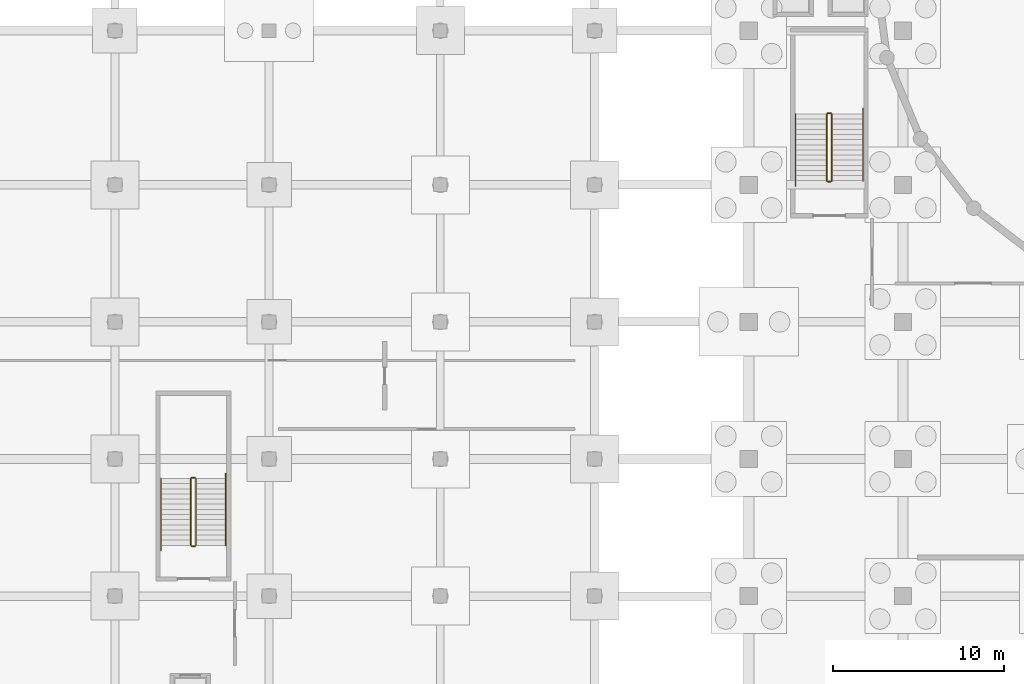
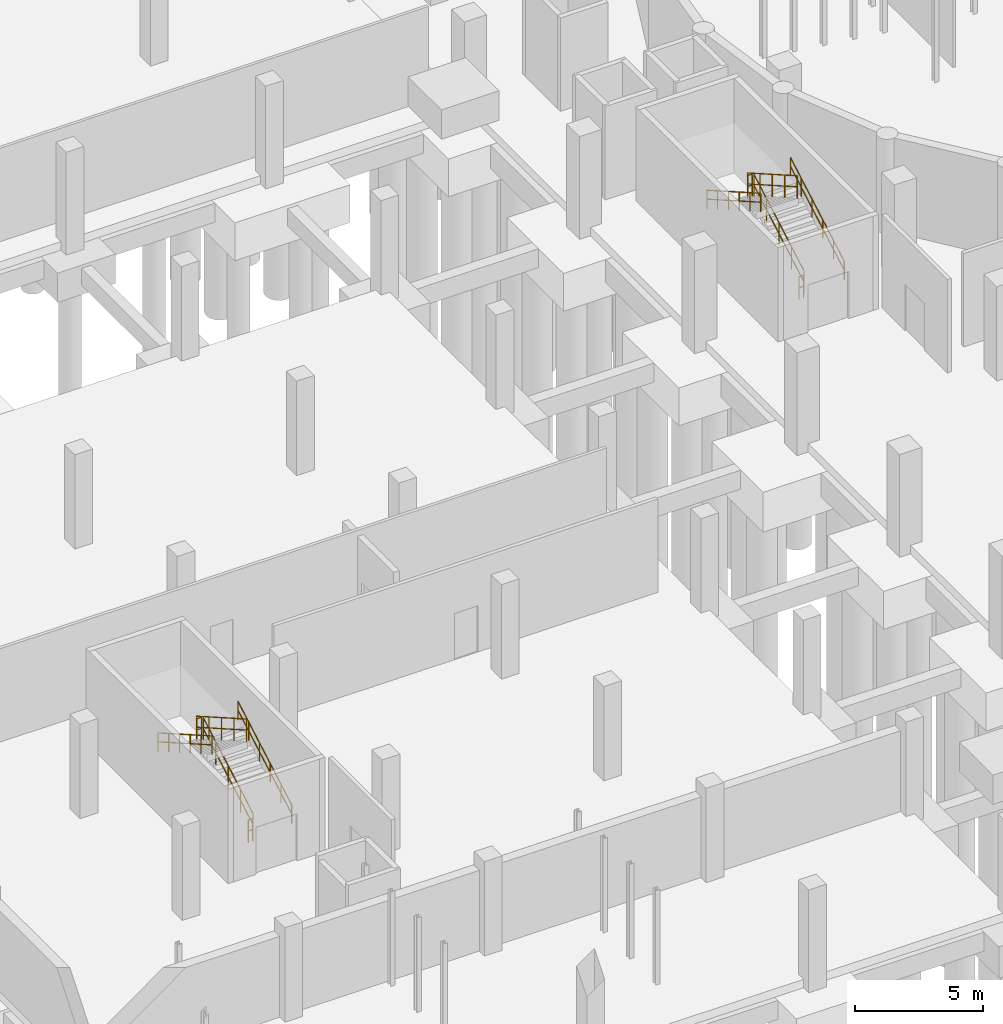
# One storey, part 34 of 40: 12 railings.
"""IFC4 building model written with IfcOpenShell, lengths in metres."""

from ifc_helpers import new_model, si_unit, direction, frame, origin, origin_2d, place, context, subcontext, project, spatial, circle, extrude, material, type_object, element, save


model = new_model("IFC4")

# Units and contexts
model_context = context("Model", 3, precision=1e-05, world=origin(), true_north=direction((0.0, 1.0)))
body_context = subcontext(model_context, "Body", "Model", "MODEL_VIEW")
ifc_project = project(units=[si_unit("LENGTHUNIT", "METRE"), si_unit("AREAUNIT", "SQUARE_METRE"), si_unit("VOLUMEUNIT", "CUBIC_METRE"), si_unit("PLANEANGLEUNIT", "RADIAN"), si_unit("MASSUNIT", "GRAM", prefix="KILO")], contexts=[model_context])

# Site, building, storey
site_placement = place(None, origin())
site = spatial("IfcSite", under=ifc_project, at=site_placement, CompositionType="ELEMENT")
building_placement = place(site_placement, origin())
building = spatial("IfcBuilding", under=site, at=building_placement, Name="Marnock Terrace Opera House", CompositionType="ELEMENT")
storey_placement = place(building_placement, frame((0.0, 0.0, -4.800048828125)))
storey = spatial("IfcBuildingStorey", under=building, at=storey_placement, Name="B1", CompositionType="ELEMENT", Elevation=-4.800048828125)

# Railings
ifc_material = material(Name="Architectural bronze balustrade")
railing_type_1 = type_object("IfcRailingType", Name="RL-GUARD-1100", PredefinedType="GUARDRAIL", material=ifc_material)
railing_1_placement = place(storey_placement, frame((59.85009765625, 48.239990234375, 0.17138671875)))
element("IfcRailing", 1, at=railing_1_placement, inside=storey, type_object=railing_type_1, Name="B1 ST-01 stair guard 1", PredefinedType="GUARDRAIL", context=body_context, shape_type="SweptSolid", body=[
    extrude(circle(Radius=0.02392578125, at=origin_2d()), frame((0.0, 0.0, 1.076171875), z_axis=(0.0, 0.868219727965, 0.496179910892), x_axis=(-1.0, 0.0, 0.0)), (0.0, 0.0, 1.0), 4.491943359375),
    extrude(circle(Radius=0.02392578125, at=origin_2d()), frame((0.0, 0.0, 0.550048828125), z_axis=(0.0, 0.868219727965, 0.496179910892), x_axis=(-1.0, 0.0, 0.0)), (0.0, 0.0, 1.0), 4.491943359375),
    extrude(circle(Radius=0.02099609375, at=origin_2d()), origin(), (0.0, 0.0, 1.0), 1.052001953125),
    extrude(circle(Radius=0.02099609375, at=origin_2d()), frame((0.0, 0.97509765625, 0.55712890625)), (0.0, 0.0, 1.0), 1.052001953125),
    extrude(circle(Radius=0.02099609375, at=origin_2d()), frame((0.0, 1.949951171875, 1.1142578125)), (0.0, 0.0, 1.0), 1.052001953125),
    extrude(circle(Radius=0.02099609375, at=origin_2d()), frame((0.0, 2.9248046875, 1.671630859375)), (0.0, 0.0, 1.0), 1.052001953125),
    extrude(circle(Radius=0.02099609375, at=origin_2d()), frame((0.0, 3.89990234375, 2.228759765625)), (0.0, 0.0, 1.0), 1.052001953125),
])
railing_2_placement = place(storey_placement, frame((59.800048828125, 52.18994140625, 2.400146484375)))
element("IfcRailing", 2, at=railing_2_placement, inside=storey, type_object=railing_type_1, Name="B1 ST-01 stair guard 2", PredefinedType="GUARDRAIL", context=body_context, shape_type="SweptSolid", body=[
    extrude(circle(Radius=0.02392578125, at=origin_2d()), frame((0.0, 0.0, 1.076171875), z_axis=(-1.0, 0.0, 0.0), x_axis=(0.0, -1.0, 0.0)), (0.0, 0.0, 1.0), 0.199951171875),
    extrude(circle(Radius=0.02392578125, at=origin_2d()), frame((0.0, 0.0, 0.550048828125), z_axis=(-1.0, 0.0, 0.0), x_axis=(0.0, -1.0, 0.0)), (0.0, 0.0, 1.0), 0.199951171875),
    extrude(circle(Radius=0.02099609375, at=origin_2d()), origin(), (0.0, 0.0, 1.0), 1.052001953125),
    extrude(circle(Radius=0.02099609375, at=origin_2d()), frame((-0.199951171875, 0.0, 0.0)), (0.0, 0.0, 1.0), 1.052001953125),
])
railing_3_placement = place(storey_placement, frame((59.550048828125, 52.139892578125, 2.571533203125)))
element("IfcRailing", 3, at=railing_3_placement, inside=storey, type_object=railing_type_1, Name="B1 ST-01 stair guard 3", PredefinedType="GUARDRAIL", context=body_context, shape_type="SweptSolid", body=[
    extrude(circle(Radius=0.02392578125, at=origin_2d()), frame((0.0, 0.0, 1.076171875), z_axis=(0.0, -0.868243142124, 0.496138938357), x_axis=(1.0, 0.0, 0.0)), (0.0, 0.0, 1.0), 4.49169921875),
    extrude(circle(Radius=0.02392578125, at=origin_2d()), frame((0.0, 0.0, 0.550048828125), z_axis=(0.0, -0.868243142124, 0.496138938357), x_axis=(1.0, 0.0, 0.0)), (0.0, 0.0, 1.0), 4.49169921875),
    extrude(circle(Radius=0.02099609375, at=origin_2d()), origin(), (0.0, 0.0, 1.0), 1.052001953125),
    extrude(circle(Radius=0.02099609375, at=origin_2d()), frame((0.0, -0.97509765625, 0.55712890625)), (0.0, 0.0, 1.0), 1.052001953125),
    extrude(circle(Radius=0.02099609375, at=origin_2d()), frame((0.0, -1.949951171875, 1.1142578125)), (0.0, 0.0, 1.0), 1.052001953125),
    extrude(circle(Radius=0.02099609375, at=origin_2d()), frame((0.0, -2.9248046875, 1.67138671875)), (0.0, 0.0, 1.0), 1.052001953125),
    extrude(circle(Radius=0.02099609375, at=origin_2d()), frame((0.0, -3.89990234375, 2.228515625)), (0.0, 0.0, 1.0), 1.052001953125),
])
railing_4_placement = place(storey_placement, frame((59.800048828125, 48.18994140625, 0.0)))
element("IfcRailing", 4, at=railing_4_placement, inside=storey, type_object=railing_type_1, Name="B1 ST-01 stair guard 4", PredefinedType="GUARDRAIL", context=body_context, shape_type="SweptSolid", body=[
    extrude(circle(Radius=0.02392578125, at=origin_2d()), frame((0.0, 0.0, 1.076171875), z_axis=(-1.0, 0.0, 0.0), x_axis=(0.0, -1.0, 0.0)), (0.0, 0.0, 1.0), 0.199951171875),
    extrude(circle(Radius=0.02392578125, at=origin_2d()), frame((0.0, 0.0, 0.550048828125), z_axis=(-1.0, 0.0, 0.0), x_axis=(0.0, -1.0, 0.0)), (0.0, 0.0, 1.0), 0.199951171875),
    extrude(circle(Radius=0.02099609375, at=origin_2d()), origin(), (0.0, 0.0, 1.0), 1.052001953125),
    extrude(circle(Radius=0.02099609375, at=origin_2d()), frame((-0.199951171875, 0.0, 0.0)), (0.0, 0.0, 1.0), 1.052001953125),
])
railing_5_placement = place(storey_placement, frame((22.72998046875, 26.9599609375, 0.17138671875)))
element("IfcRailing", 5, at=railing_5_placement, inside=storey, type_object=railing_type_1, Name="B1 ST-05 stair guard 1", PredefinedType="GUARDRAIL", context=body_context, shape_type="SweptSolid", body=[
    extrude(circle(Radius=0.02392578125, at=origin_2d()), frame((0.0, 0.0, 1.076171875), z_axis=(0.0, 0.868233108195, 0.496156497321), x_axis=(-1.0, 0.0, 0.0)), (0.0, 0.0, 1.0), 4.491943359375),
    extrude(circle(Radius=0.02392578125, at=origin_2d()), frame((0.0, 0.0, 0.550048828125), z_axis=(0.0, 0.868233108195, 0.496156497321), x_axis=(-1.0, 0.0, 0.0)), (0.0, 0.0, 1.0), 4.491943359375),
    extrude(circle(Radius=0.02099609375, at=origin_2d()), origin(), (0.0, 0.0, 1.0), 1.052001953125),
    extrude(circle(Radius=0.02099609375, at=origin_2d()), frame((0.0, 0.97509765625, 0.55712890625)), (0.0, 0.0, 1.0), 1.052001953125),
    extrude(circle(Radius=0.02099609375, at=origin_2d()), frame((0.0, 1.9501953125, 1.1142578125)), (0.0, 0.0, 1.0), 1.052001953125),
    extrude(circle(Radius=0.02099609375, at=origin_2d()), frame((0.0, 2.925048828125, 1.671630859375)), (0.0, 0.0, 1.0), 1.052001953125),
    extrude(circle(Radius=0.02099609375, at=origin_2d()), frame((0.0, 3.900146484375, 2.228759765625)), (0.0, 0.0, 1.0), 1.052001953125),
])
railing_6_placement = place(storey_placement, frame((22.679931640625, 30.909912109375, 2.400146484375)))
element("IfcRailing", 6, at=railing_6_placement, inside=storey, type_object=railing_type_1, Name="B1 ST-05 stair guard 2", PredefinedType="GUARDRAIL", context=body_context, shape_type="SweptSolid", body=[
    extrude(circle(Radius=0.02392578125, at=origin_2d()), frame((0.0, 0.0, 1.076171875), z_axis=(-1.0, 0.0, 0.0), x_axis=(0.0, -1.0, 0.0)), (0.0, 0.0, 1.0), 0.199951171875),
    extrude(circle(Radius=0.02392578125, at=origin_2d()), frame((0.0, 0.0, 0.550048828125), z_axis=(-1.0, 0.0, 0.0), x_axis=(0.0, -1.0, 0.0)), (0.0, 0.0, 1.0), 0.199951171875),
    extrude(circle(Radius=0.02099609375, at=origin_2d()), origin(), (0.0, 0.0, 1.0), 1.052001953125),
    extrude(circle(Radius=0.02099609375, at=origin_2d()), frame((-0.199951171875, 0.0, 0.0)), (0.0, 0.0, 1.0), 1.052001953125),
])
railing_7_placement = place(storey_placement, frame((22.429931640625, 30.860107421875, 2.571533203125)))
element("IfcRailing", 7, at=railing_7_placement, inside=storey, type_object=railing_type_1, Name="B1 ST-05 stair guard 3", PredefinedType="GUARDRAIL", context=body_context, shape_type="SweptSolid", body=[
    extrude(circle(Radius=0.02392578125, at=origin_2d()), frame((0.0, 0.0, 1.076171875), z_axis=(0.0, -0.868256520506, 0.496115525457), x_axis=(1.0, 0.0, 0.0)), (0.0, 0.0, 1.0), 4.491943359375),
    extrude(circle(Radius=0.02392578125, at=origin_2d()), frame((0.0, 0.0, 0.550048828125), z_axis=(0.0, -0.868256520506, 0.496115525457), x_axis=(1.0, 0.0, 0.0)), (0.0, 0.0, 1.0), 4.491943359375),
    extrude(circle(Radius=0.02099609375, at=origin_2d()), origin(), (0.0, 0.0, 1.0), 1.052001953125),
    extrude(circle(Radius=0.02099609375, at=origin_2d()), frame((0.0, -0.97509765625, 0.55712890625)), (0.0, 0.0, 1.0), 1.052001953125),
    extrude(circle(Radius=0.02099609375, at=origin_2d()), frame((0.0, -1.9501953125, 1.1142578125)), (0.0, 0.0, 1.0), 1.052001953125),
    extrude(circle(Radius=0.02099609375, at=origin_2d()), frame((0.0, -2.925048828125, 1.67138671875)), (0.0, 0.0, 1.0), 1.052001953125),
    extrude(circle(Radius=0.02099609375, at=origin_2d()), frame((0.0, -3.900146484375, 2.228515625)), (0.0, 0.0, 1.0), 1.052001953125),
])
railing_8_placement = place(storey_placement, frame((22.679931640625, 26.909912109375, 0.0)))
element("IfcRailing", 8, at=railing_8_placement, inside=storey, type_object=railing_type_1, Name="B1 ST-05 stair guard 4", PredefinedType="GUARDRAIL", context=body_context, shape_type="SweptSolid", body=[
    extrude(circle(Radius=0.02392578125, at=origin_2d()), frame((0.0, 0.0, 1.076171875), z_axis=(-1.0, 0.0, 0.0), x_axis=(0.0, -1.0, 0.0)), (0.0, 0.0, 1.0), 0.199951171875),
    extrude(circle(Radius=0.02392578125, at=origin_2d()), frame((0.0, 0.0, 0.550048828125), z_axis=(-1.0, 0.0, 0.0), x_axis=(0.0, -1.0, 0.0)), (0.0, 0.0, 1.0), 0.199951171875),
    extrude(circle(Radius=0.02099609375, at=origin_2d()), origin(), (0.0, 0.0, 1.0), 1.052001953125),
    extrude(circle(Radius=0.02099609375, at=origin_2d()), frame((-0.199951171875, 0.0, 0.0)), (0.0, 0.0, 1.0), 1.052001953125),
])
railing_type_2 = type_object("IfcRailingType", Name="RL-HAND-900", PredefinedType="HANDRAIL", material=ifc_material)
railing_9_placement = place(storey_placement, frame((61.669921875, 48.239990234375, 0.18359375)))
element("IfcRailing", 9, at=railing_9_placement, inside=storey, type_object=railing_type_2, Name="B1 ST-01 stair handrail 1", PredefinedType="HANDRAIL", context=body_context, shape_type="SweptSolid", body=[
    extrude(circle(Radius=0.02392578125, at=origin_2d()), frame((0.0, 0.0, 0.8759765625), z_axis=(0.0, 0.868249353848, 0.496128067682), x_axis=(-1.0, 0.0, 0.0)), (0.0, 0.0, 1.0), 4.837158203125),
    extrude(circle(Radius=0.02392578125, at=origin_2d()), frame((0.0, 0.0, 0.449951171875), z_axis=(0.0, 0.868249353848, 0.496128067682), x_axis=(-1.0, 0.0, 0.0)), (0.0, 0.0, 1.0), 4.837158203125),
    extrude(circle(Radius=0.02099609375, at=origin_2d()), origin(), (0.0, 0.0, 1.0), 0.851806640625),
    extrude(circle(Radius=0.02099609375, at=origin_2d()), frame((0.0, 0.840087890625, 0.47998046875)), (0.0, 0.0, 1.0), 0.851806640625),
    extrude(circle(Radius=0.02099609375, at=origin_2d()), frame((0.0, 1.679931640625, 0.9599609375)), (0.0, 0.0, 1.0), 0.851806640625),
    extrude(circle(Radius=0.02099609375, at=origin_2d()), frame((0.0, 2.52001953125, 1.43994140625)), (0.0, 0.0, 1.0), 0.851806640625),
    extrude(circle(Radius=0.02099609375, at=origin_2d()), frame((0.0, 3.35986328125, 1.919921875)), (0.0, 0.0, 1.0), 0.851806640625),
    extrude(circle(Radius=0.02099609375, at=origin_2d()), frame((0.0, 4.199951171875, 2.39990234375)), (0.0, 0.0, 1.0), 0.851806640625),
])
railing_10_placement = place(storey_placement, frame((57.72998046875, 52.139892578125, 2.58349609375)))
element("IfcRailing", 10, at=railing_10_placement, inside=storey, type_object=railing_type_2, Name="B1 ST-01 stair handrail 2", PredefinedType="HANDRAIL", context=body_context, shape_type="SweptSolid", body=[
    extrude(circle(Radius=0.02392578125, at=origin_2d()), frame((0.0, 0.0, 0.8759765625), z_axis=(0.0, -0.868249353848, 0.496128067682), x_axis=(1.0, 0.0, 0.0)), (0.0, 0.0, 1.0), 4.837158203125),
    extrude(circle(Radius=0.02392578125, at=origin_2d()), frame((0.0, 0.0, 0.449951171875), z_axis=(0.0, -0.868249353848, 0.496128067682), x_axis=(1.0, 0.0, 0.0)), (0.0, 0.0, 1.0), 4.837158203125),
    extrude(circle(Radius=0.02099609375, at=origin_2d()), origin(), (0.0, 0.0, 1.0), 0.851806640625),
    extrude(circle(Radius=0.02099609375, at=origin_2d()), frame((0.0, -0.840087890625, 0.47998046875)), (0.0, 0.0, 1.0), 0.851806640625),
    extrude(circle(Radius=0.02099609375, at=origin_2d()), frame((0.0, -1.679931640625, 0.9599609375)), (0.0, 0.0, 1.0), 0.851806640625),
    extrude(circle(Radius=0.02099609375, at=origin_2d()), frame((0.0, -2.52001953125, 1.43994140625)), (0.0, 0.0, 1.0), 0.851806640625),
    extrude(circle(Radius=0.02099609375, at=origin_2d()), frame((0.0, -3.35986328125, 1.919921875)), (0.0, 0.0, 1.0), 0.851806640625),
    extrude(circle(Radius=0.02099609375, at=origin_2d()), frame((0.0, -4.199951171875, 2.39990234375)), (0.0, 0.0, 1.0), 0.851806640625),
])
railing_11_placement = place(storey_placement, frame((24.469970703125, 26.9599609375, 0.18359375)))
element("IfcRailing", 11, at=railing_11_placement, inside=storey, type_object=railing_type_2, Name="B1 ST-05 stair handrail 1", PredefinedType="HANDRAIL", context=body_context, shape_type="SweptSolid", body=[
    extrude(circle(Radius=0.02392578125, at=origin_2d()), frame((0.0, 0.0, 0.8759765625), z_axis=(0.0, 0.868249353848, 0.496128067682), x_axis=(-1.0, 0.0, 0.0)), (0.0, 0.0, 1.0), 4.837158203125),
    extrude(circle(Radius=0.02392578125, at=origin_2d()), frame((0.0, 0.0, 0.449951171875), z_axis=(0.0, 0.868249353848, 0.496128067682), x_axis=(-1.0, 0.0, 0.0)), (0.0, 0.0, 1.0), 4.837158203125),
    extrude(circle(Radius=0.02099609375, at=origin_2d()), origin(), (0.0, 0.0, 1.0), 0.851806640625),
    extrude(circle(Radius=0.02099609375, at=origin_2d()), frame((0.0, 0.840087890625, 0.47998046875)), (0.0, 0.0, 1.0), 0.851806640625),
    extrude(circle(Radius=0.02099609375, at=origin_2d()), frame((0.0, 1.679931640625, 0.9599609375)), (0.0, 0.0, 1.0), 0.851806640625),
    extrude(circle(Radius=0.02099609375, at=origin_2d()), frame((0.0, 2.52001953125, 1.43994140625)), (0.0, 0.0, 1.0), 0.851806640625),
    extrude(circle(Radius=0.02099609375, at=origin_2d()), frame((0.0, 3.35986328125, 1.919921875)), (0.0, 0.0, 1.0), 0.851806640625),
    extrude(circle(Radius=0.02099609375, at=origin_2d()), frame((0.0, 4.199951171875, 2.39990234375)), (0.0, 0.0, 1.0), 0.851806640625),
])
railing_12_placement = place(storey_placement, frame((20.68994140625, 30.860107421875, 2.58349609375)))
element("IfcRailing", 12, at=railing_12_placement, inside=storey, type_object=railing_type_2, Name="B1 ST-05 stair handrail 2", PredefinedType="HANDRAIL", context=body_context, shape_type="SweptSolid", body=[
    extrude(circle(Radius=0.02392578125, at=origin_2d()), frame((0.0, 0.0, 0.8759765625), z_axis=(0.0, -0.868261776072, 0.496106327528), x_axis=(1.0, 0.0, 0.0)), (0.0, 0.0, 1.0), 4.83740234375),
    extrude(circle(Radius=0.02392578125, at=origin_2d()), frame((0.0, 0.0, 0.449951171875), z_axis=(0.0, -0.868261776072, 0.496106327528), x_axis=(1.0, 0.0, 0.0)), (0.0, 0.0, 1.0), 4.83740234375),
    extrude(circle(Radius=0.02099609375, at=origin_2d()), origin(), (0.0, 0.0, 1.0), 0.851806640625),
    extrude(circle(Radius=0.02099609375, at=origin_2d()), frame((0.0, -0.840087890625, 0.47998046875)), (0.0, 0.0, 1.0), 0.851806640625),
    extrude(circle(Radius=0.02099609375, at=origin_2d()), frame((0.0, -1.68017578125, 0.9599609375)), (0.0, 0.0, 1.0), 0.851806640625),
    extrude(circle(Radius=0.02099609375, at=origin_2d()), frame((0.0, -2.52001953125, 1.43994140625)), (0.0, 0.0, 1.0), 0.851806640625),
    extrude(circle(Radius=0.02099609375, at=origin_2d()), frame((0.0, -3.360107421875, 1.919921875)), (0.0, 0.0, 1.0), 0.851806640625),
    extrude(circle(Radius=0.02099609375, at=origin_2d()), frame((0.0, -4.2001953125, 2.39990234375)), (0.0, 0.0, 1.0), 0.851806640625),
])

save(model, "model.ifc")
